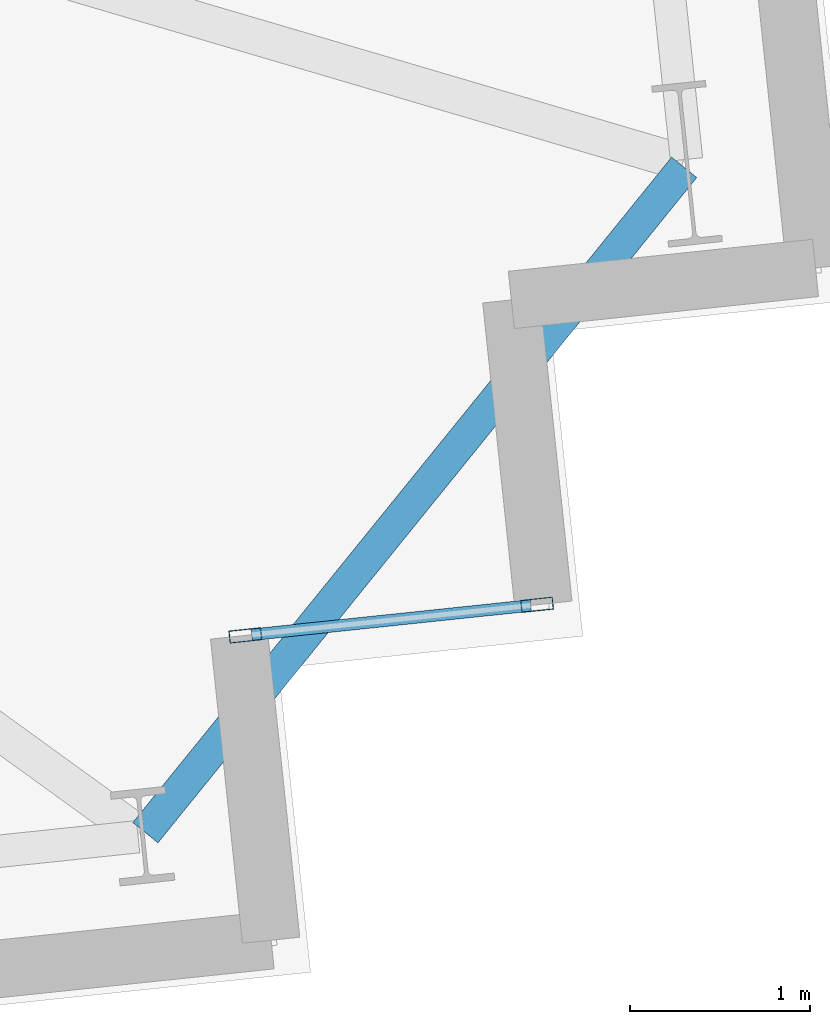
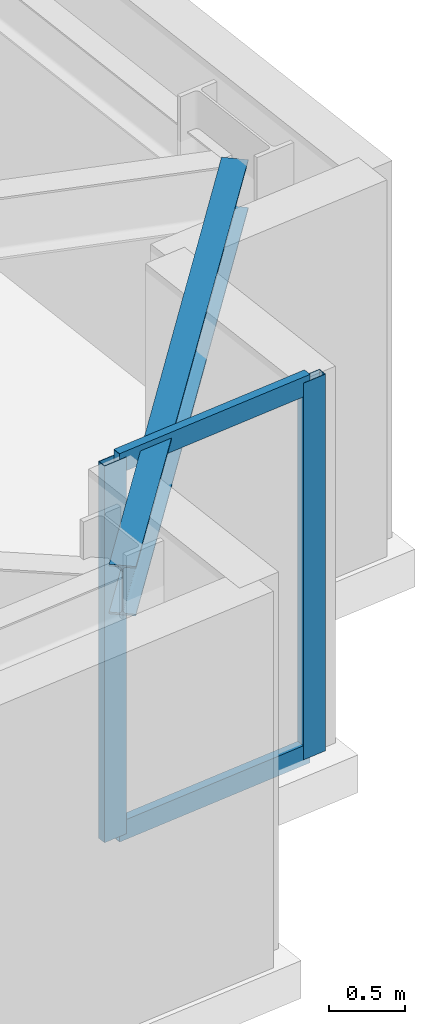
# One storey, part 6 of 18: 4 members, 1 beam, 1 element without a shape of its own.
"""IFC4 building model written with IfcOpenShell, lengths in metres."""

from ifc_helpers import new_model, si_unit, direction, frame, origin, origin_2d, place, context, subcontext, project, spatial, hollow_rectangle, i_section, extrude, material, layer, layer_set, material_profile, profile_set, type_object, element, aggregate, save


model = new_model("IFC4")

# Units and contexts
model_context = context("Model", 3, precision=1e-05, world=origin(), true_north=direction((0.0, 1.0)))
body_context = subcontext(model_context, "Body", "Model", "MODEL_VIEW")
ifc_project = project(units=[si_unit("LENGTHUNIT", "METRE"), si_unit("AREAUNIT", "SQUARE_METRE"), si_unit("VOLUMEUNIT", "CUBIC_METRE"), si_unit("PLANEANGLEUNIT", "RADIAN"), si_unit("MASSUNIT", "GRAM", prefix="KILO")], contexts=[model_context])

# Site, building, storey
site_placement = place(None, origin())
site = spatial("IfcSite", under=ifc_project, at=site_placement, CompositionType="ELEMENT")
building_placement = place(site_placement, origin())
building = spatial("IfcBuilding", under=site, at=building_placement, Name="Qobustan Lattice House", CompositionType="ELEMENT")
storey_placement = place(building_placement, frame((0.0, 0.0, 109.14990234375)))
storey = spatial("IfcBuildingStorey", under=building, at=storey_placement, Name="L30", CompositionType="ELEMENT", Elevation=109.14990234375)

# Beam
ifc_material_1 = material(Name="Steel S355", Category="steel")
ifc_material_profile_1 = material_profile(ifc_material_1, i_section(OverallWidth=0.179931640625, OverallDepth=0.39990234375, WebThickness=0.008544921875, FlangeThickness=0.013427734375, FilletRadius=0.02099609375, at=origin_2d()), Name="IPE400")
ifc_profile_set_1 = profile_set([ifc_material_profile_1], Name="Steel S355")
beam_type = type_object("IfcBeamType", Name="BM-SPD-IPE400", PredefinedType="SPANDREL", material=ifc_profile_set_1)
beam_placement = place(storey_placement, frame((29.608642578125, -13.3876953125, 2.84521484375), z_axis=(0.629351720588, 0.777120590252, 0.0), x_axis=(-0.777120590252, 0.629351720588, 0.0)))
element("IfcBeam", 1, at=beam_placement, inside=storey, type_object=beam_type, Name="L30 perimeter spandrel S7-E1", PredefinedType="SPANDREL", context=body_context, shape_type="SweptSolid", body=[
    extrude(i_section(OverallWidth=0.179931640625, OverallDepth=0.39990234375, WebThickness=0.008544921875, FlangeThickness=0.013427734375, FilletRadius=0.02099609375, at=origin_2d()), origin(), (0.0, 0.0, 1.0), 4.75830078125),
])

# Curtain wall, members
ifc_material_2 = material(Name="Anodised aluminium and low-E glazing", Category="aluminium")
ifc_layer = layer(ifc_material_2, 0.219970703125)
ifc_layer_set = layer_set([ifc_layer], Name="Anodised aluminium and low-E glazing")
curtain_wall_type = type_object("IfcCurtainWallType", Name="CW-FAC-01", PredefinedType="USERDEFINED", material=ifc_layer_set)
curtain_wall_placement = place(storey_placement, origin())
curtain_wall = element("IfcCurtainWall", 2, at=curtain_wall_placement, inside=storey, type_object=curtain_wall_type, Name="L30 serrated corner faceted glazing 18", ObjectType="CURTAIN WALL", PredefinedType="USERDEFINED")
ifc_material_3 = material(Name="Anodised aluminium EN AW-6063 T6", Category="aluminium")
ifc_material_profile_2 = material_profile(ifc_material_3, hollow_rectangle(XDim=0.070068359375, YDim=0.179931640625, WallThickness=0.00439453125, at=origin_2d()), Name="CWM-180x70")
ifc_profile_set_2 = profile_set([ifc_material_profile_2], Name="Anodised aluminium EN AW-6063 T6")
member_type_1 = type_object("IfcMemberType", Name="CWM-STD-180", PredefinedType="MULLION", material=ifc_profile_set_2)
member_1_placement = place(storey_placement, frame((31.785400390625, -12.12109375, 0.0), z_axis=(0.0, 0.0, 1.0), x_axis=(0.104528620025, -0.994521878892, 0.0)))
member_1 = element("IfcMember", 3, at=member_1_placement, type_object=member_type_1, Name="CW-F1 mullion 1", PredefinedType="MULLION", context=body_context, shape_type="SweptSolid", body=[
    extrude(hollow_rectangle(XDim=0.070068359375, YDim=0.179931640625, WallThickness=0.00439453125, at=origin_2d()), origin(), (0.0, 0.0, 1.0), 3.045166015625),
])
member_2_placement = place(storey_placement, frame((30.164306640625, -12.29150390625, 0.0), z_axis=(0.0, 0.0, 1.0), x_axis=(0.104528620025, -0.994521878892, 0.0)))
member_2 = element("IfcMember", 4, at=member_2_placement, type_object=member_type_1, Name="CW-F1 mullion 2", PredefinedType="MULLION", context=body_context, shape_type="SweptSolid", body=[
    extrude(hollow_rectangle(XDim=0.070068359375, YDim=0.179931640625, WallThickness=0.00439453125, at=origin_2d()), origin(), (0.0, 0.0, 1.0), 3.045166015625),
])
ifc_material_4 = material(Name="Anodised aluminium EN AW-6063 T6", Category="aluminium")
ifc_material_profile_3 = material_profile(ifc_material_4, hollow_rectangle(XDim=0.06494140625, YDim=0.159912109375, WallThickness=0.00390625, at=origin_2d()), Name="CWT-160x65")
ifc_profile_set_3 = profile_set([ifc_material_profile_3], Name="Anodised aluminium EN AW-6063 T6")
member_type_2 = type_object("IfcMemberType", Name="CWT-HOR-160", PredefinedType="USERDEFINED", material=ifc_profile_set_3)
member_3_placement = place(storey_placement, frame((31.750732421875, -12.124755859375, 0.03271484375), z_axis=(-0.994520877159, -0.104538150424, 0.0), x_axis=(0.104538150424, -0.994520877159, 0.0)))
member_3 = element("IfcMember", 5, at=member_3_placement, type_object=member_type_2, Name="CW-F1 transom 1.1", ObjectType="TRANSOM", PredefinedType="USERDEFINED", context=body_context, shape_type="SweptSolid", body=[
    extrude(hollow_rectangle(XDim=0.06494140625, YDim=0.159912109375, WallThickness=0.00390625, at=origin_2d()), origin(), (0.0, 0.0, 1.0), 1.56005859375),
])
member_4_placement = place(storey_placement, frame((31.750732421875, -12.124755859375, 3.0126953125), z_axis=(-0.994520877159, -0.104538150424, 0.0), x_axis=(0.104538150424, -0.994520877159, 0.0)))
member_4 = element("IfcMember", 6, at=member_4_placement, type_object=member_type_2, Name="CW-F1 transom 1.2", ObjectType="TRANSOM", PredefinedType="USERDEFINED", context=body_context, shape_type="SweptSolid", body=[
    extrude(hollow_rectangle(XDim=0.06494140625, YDim=0.159912109375, WallThickness=0.00390625, at=origin_2d()), origin(), (0.0, 0.0, 1.0), 1.56005859375),
])
aggregate(curtain_wall, [member_1, member_2, member_3, member_4])

save(model, "model.ifc")
